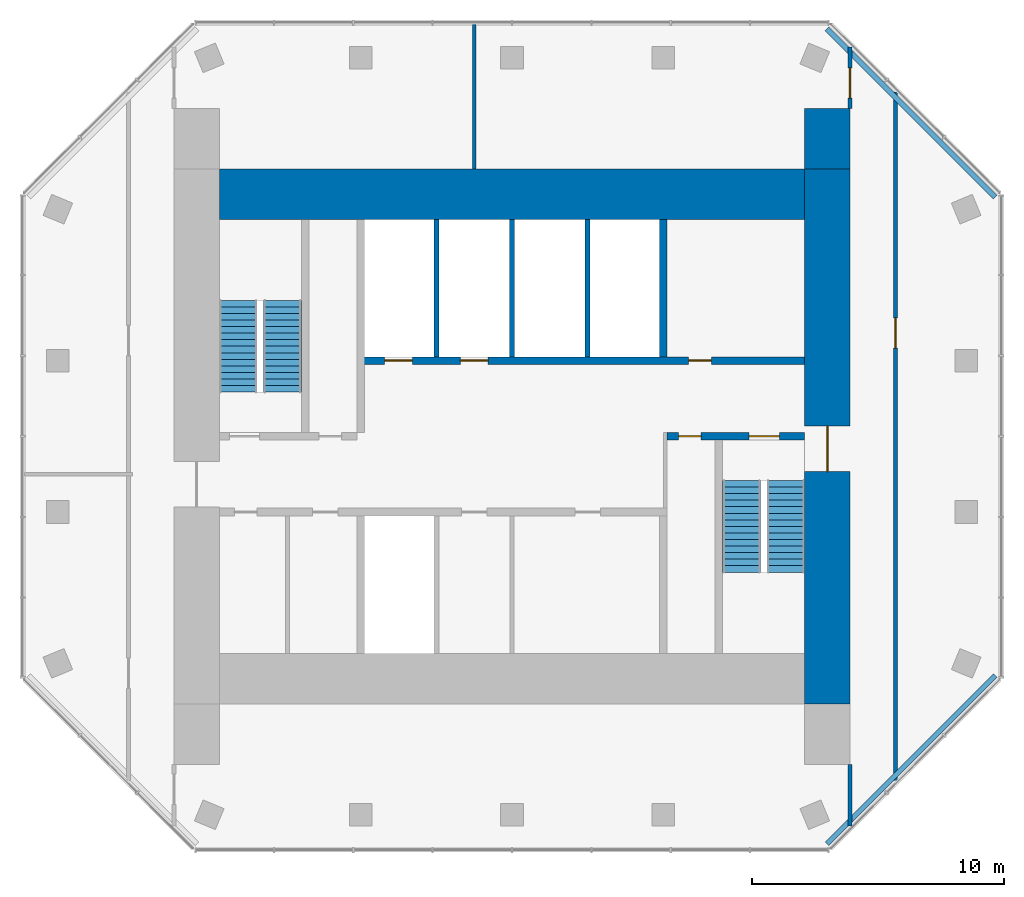
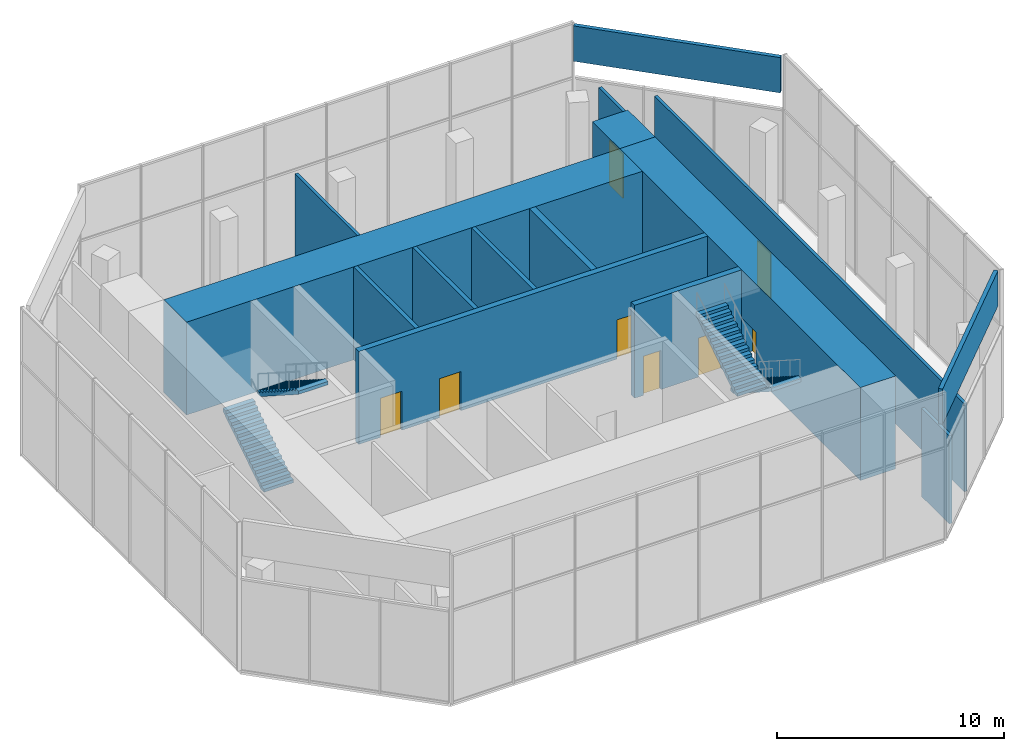
# One storey, part 8 of 9: 15 walls, 8 doors, 4 stair flights, 8 openings, 2 elements without a shape of their own.
"""IFC4 building model written with IfcOpenShell, lengths in metres."""

from ifc_helpers import new_model, si_unit, direction, frame, frame_2d, origin, place, context, subcontext, project, spatial, polyline, rectangle, outline, extrude, material, layer, layer_set, type_object, element, fill, aggregate, save


model = new_model("IFC4")

# Units and contexts
model_context = context("Model", 3, precision=1e-05, world=origin(), true_north=direction((0.0, 1.0)))
body_context = subcontext(model_context, "Body", "Model", "MODEL_VIEW")
ifc_project = project(units=[si_unit("LENGTHUNIT", "METRE"), si_unit("AREAUNIT", "SQUARE_METRE"), si_unit("VOLUMEUNIT", "CUBIC_METRE"), si_unit("PLANEANGLEUNIT", "RADIAN"), si_unit("MASSUNIT", "GRAM", prefix="KILO")], contexts=[model_context])

# Site, building, storey
site_placement = place(None, origin())
site = spatial("IfcSite", under=ifc_project, at=site_placement, CompositionType="ELEMENT")
building_placement = place(site_placement, origin())
building = spatial("IfcBuilding", under=site, at=building_placement, Name="Highveld Stack Headquarters", CompositionType="ELEMENT")
storey_placement = place(building_placement, frame((0.0, 0.0, 300.699951171875)))
storey = spatial("IfcBuildingStorey", under=building, at=storey_placement, Name="L74", CompositionType="ELEMENT", Elevation=300.699951171875)

# Wall, opening, door
ifc_material_1 = material(Name="Concrete C60/75", Category="concrete")
ifc_layer_1 = layer(ifc_material_1, 1.800048828125)
ifc_layer_set_1 = layer_set([ifc_layer_1], Name="Concrete C60/75")
wall_type_1 = type_object("IfcWallType", Name="CORE WALL 1800 C60/75", PredefinedType="SHEAR", material=ifc_layer_set_1)
wall_1_placement = place(storey_placement, frame((18.5, -7.60009765625, 0.0), z_axis=(0.0, 0.0, 1.0), x_axis=(0.0, 1.0, 0.0)))
wall_1 = element("IfcWall", 1, at=wall_1_placement, inside=storey, type_object=wall_type_1, Name="Core wall E L74", PredefinedType="SHEAR", context=body_context, shape_type="SweptSolid", body=[
    extrude(rectangle(XDim=21.2001953125, YDim=1.800048828125, at=frame_2d((10.60009765625, 0.0))), origin(), (0.0, 0.0, 1.0), 5.0),
])
opening_1_placement = place(wall_1_placement, frame((9.199951171875, 0.0, 0.0)))
opening_1 = element("IfcOpeningElement", 2, at=opening_1_placement, cuts=wall_1, Name="Opening L74-02", PredefinedType="OPENING", context=body_context, shape_type="SweptSolid", body=[
    extrude(rectangle(XDim=1.800048828125, YDim=2.39990234375, at=frame_2d((0.89990234375, 1.199951171875))), frame((0.0, 0.909912109375, 0.0), z_axis=(0.0, -1.0, 0.0), x_axis=(1.0, 0.0, 0.0)), (0.0, 0.0, 1.0), 1.820068359375),
])
ifc_material_2 = material(Name="Steel fire door", Category="steel")
door_type_1 = type_object("IfcDoorType", Name="LOBBY FIRE DOOR D4 1800x2400", OperationType="DOUBLE_DOOR_SINGLE_SWING", PredefinedType="DOOR", material=ifc_material_2)
door_1_placement = place(opening_1_placement, origin())
door_1 = element("IfcDoor", 3, at=door_1_placement, inside=storey, type_object=door_type_1, Name="Core east door L74", OperationType="DOUBLE_DOOR_SINGLE_SWING", OverallHeight=2.39990234375, OverallWidth=1.800048828125, PredefinedType="DOOR", context=body_context, shape_type="SweptSolid", body=[
    extrude(rectangle(XDim=1.800048828125, YDim=2.39990234375, at=frame_2d((0.89990234375, 1.199951171875))), frame((0.0, 0.02490234375, 0.0), z_axis=(0.0, -1.0, 0.0), x_axis=(1.0, 0.0, 0.0)), (0.0, 0.0, 1.0), 0.050048828125),
])
fill(opening_1, door_1)

# Wall
ifc_material_3 = material(Name="Concrete C60/75", Category="concrete")
ifc_layer_2 = layer(ifc_material_3, 2.0)
ifc_layer_set_2 = layer_set([ifc_layer_2], Name="Concrete C60/75")
wall_type_2 = type_object("IfcWallType", Name="CORE WALL 2000 C60/75", PredefinedType="SHEAR", material=ifc_layer_set_2)
wall_2_placement = place(storey_placement, frame((-5.60009765625, 12.60009765625, 0.0), z_axis=(0.0, 0.0, 1.0), x_axis=(1.0, 0.0, 0.0)))
element("IfcWall", 4, at=wall_2_placement, inside=storey, type_object=wall_type_2, Name="Core wall N L74", PredefinedType="SHEAR", context=body_context, shape_type="SweptSolid", body=[
    extrude(rectangle(XDim=23.2001953125, YDim=2.0, at=frame_2d((11.60009765625, 0.0))), origin(), (0.0, 0.0, 1.0), 5.0),
])

# Wall, openings, doors
ifc_material_4 = material(Name="Concrete C60/75", Category="concrete")
ifc_layer_3 = layer(ifc_material_4, 0.300048828125)
ifc_layer_set_3 = layer_set([ifc_layer_3], Name="Concrete C60/75")
wall_type_3 = type_object("IfcWallType", Name="CORE WALL 300 C60/75", PredefinedType="SHEAR", material=ifc_layer_set_3)
wall_3_placement = place(storey_placement, frame((12.14990234375, 3.0, 0.0), z_axis=(0.0, 0.0, 1.0), x_axis=(1.0, 0.0, 0.0)))
wall_3 = element("IfcWall", 5, at=wall_3_placement, inside=storey, type_object=wall_type_3, Name="Core wall I-Y3E L74", PredefinedType="SHEAR", context=body_context, shape_type="SweptSolid", body=[
    extrude(rectangle(XDim=5.4501953125, YDim=0.300048828125, at=frame_2d((2.72509765625, 0.0))), origin(), (0.0, 0.0, 1.0), 5.0),
])
opening_2_placement = place(wall_3_placement, frame((3.25, 0.0, 0.0)))
opening_2 = element("IfcOpeningElement", 6, at=opening_2_placement, cuts=wall_3, Name="Opening L74-05", PredefinedType="OPENING", context=body_context, shape_type="SweptSolid", body=[
    extrude(rectangle(XDim=1.199951171875, YDim=2.10009765625, at=frame_2d((0.60009765625, 1.050048828125))), frame((0.0, 0.159912109375, 0.0), z_axis=(0.0, -1.0, 0.0), x_axis=(1.0, 0.0, 0.0)), (0.0, 0.0, 1.0), 0.320068359375),
])
opening_3_placement = place(wall_3_placement, frame((0.449951171875, 0.0, 0.0)))
opening_3 = element("IfcOpeningElement", 7, at=opening_3_placement, cuts=wall_3, Name="Opening L74-06", PredefinedType="OPENING", context=body_context, shape_type="SweptSolid", body=[
    extrude(rectangle(XDim=0.89990234375, YDim=2.10009765625, at=frame_2d((0.449951171875, 1.050048828125))), frame((0.0, 0.159912109375, 0.0), z_axis=(0.0, -1.0, 0.0), x_axis=(1.0, 0.0, 0.0)), (0.0, 0.0, 1.0), 0.320068359375),
])
ifc_material_5 = material(Name="Steel fire door", Category="steel")
door_type_2 = type_object("IfcDoorType", Name="RISER ACCESS DOOR D5 900x2100", OperationType="SINGLE_SWING_LEFT", PredefinedType="DOOR", material=ifc_material_5)
door_2_placement = place(opening_3_placement, origin())
door_2 = element("IfcDoor", 8, at=door_2_placement, inside=storey, type_object=door_type_2, Name="Riser R2 door L74", OperationType="SINGLE_SWING_LEFT", OverallHeight=2.10009765625, OverallWidth=0.89990234375, PredefinedType="DOOR", context=body_context, shape_type="SweptSolid", body=[
    extrude(rectangle(XDim=0.89990234375, YDim=2.10009765625, at=frame_2d((0.449951171875, 1.050048828125))), frame((0.0, 0.02490234375, 0.0), z_axis=(0.0, -1.0, 0.0), x_axis=(1.0, 0.0, 0.0)), (0.0, 0.0, 1.0), 0.050048828125),
])
fill(opening_3, door_2)
ifc_material_6 = material(Name="Steel fire door", Category="steel")
door_type_3 = type_object("IfcDoorType", Name="STAIR FIRE DOOR D3 1200x2100", OperationType="SINGLE_SWING_LEFT", PredefinedType="DOOR", material=ifc_material_6)
door_3_placement = place(opening_2_placement, origin())
door_3 = element("IfcDoor", 9, at=door_3_placement, inside=storey, type_object=door_type_3, Name="Stair S2 door L74", OperationType="SINGLE_SWING_RIGHT", OverallHeight=2.10009765625, OverallWidth=1.199951171875, PredefinedType="DOOR", context=body_context, shape_type="SweptSolid", body=[
    extrude(rectangle(XDim=1.199951171875, YDim=2.10009765625, at=frame_2d((0.60009765625, 1.050048828125))), frame((0.0, 0.02490234375, 0.0), z_axis=(0.0, -1.0, 0.0), x_axis=(1.0, 0.0, 0.0)), (0.0, 0.0, 1.0), 0.050048828125),
])
fill(opening_2, door_3)

wall_4_placement = place(storey_placement, frame((-0.14990234375, 6.0, 0.0), z_axis=(0.0, 0.0, 1.0), x_axis=(1.0, 0.0, 0.0)))
wall_4 = element("IfcWall", 10, at=wall_4_placement, inside=storey, type_object=wall_type_3, Name="Core wall I-Y6 L74", PredefinedType="SHEAR", context=body_context, shape_type="SweptSolid", body=[
    extrude(rectangle(XDim=17.75, YDim=0.300048828125, at=frame_2d((8.875, 0.0))), origin(), (0.0, 0.0, 1.0), 5.0),
])
opening_4_placement = place(wall_4_placement, frame((13.14990234375, 0.0, 0.0)))
opening_4 = element("IfcOpeningElement", 11, at=opening_4_placement, cuts=wall_4, Name="Opening L74-09", PredefinedType="OPENING", context=body_context, shape_type="SweptSolid", body=[
    extrude(rectangle(XDim=0.89990234375, YDim=2.10009765625, at=frame_2d((0.449951171875, 1.050048828125))), frame((0.0, 0.159912109375, 0.0), z_axis=(0.0, -1.0, 0.0), x_axis=(1.0, 0.0, 0.0)), (0.0, 0.0, 1.0), 0.320068359375),
])
opening_5_placement = place(wall_4_placement, frame((1.10009765625, 0.0, 0.0)))
opening_5 = element("IfcOpeningElement", 12, at=opening_5_placement, cuts=wall_4, Name="Opening LD", PredefinedType="OPENING", context=body_context, shape_type="SweptSolid", body=[
    extrude(rectangle(XDim=1.10009765625, YDim=2.10009765625, at=frame_2d((0.550048828125, 1.050048828125))), frame((0.0, 0.159912109375, 0.0), z_axis=(0.0, -1.0, 0.0), x_axis=(1.0, 0.0, 0.0)), (0.0, 0.0, 1.0), 0.320068359375),
])
opening_6_placement = place(wall_4_placement, frame((4.10009765625, 0.0, 0.0)))
opening_6 = element("IfcOpeningElement", 13, at=opening_6_placement, cuts=wall_4, Name="Opening LD", PredefinedType="OPENING", context=body_context, shape_type="SweptSolid", body=[
    extrude(rectangle(XDim=1.10009765625, YDim=2.10009765625, at=frame_2d((0.550048828125, 1.050048828125))), frame((0.0, 0.159912109375, 0.0), z_axis=(0.0, -1.0, 0.0), x_axis=(1.0, 0.0, 0.0)), (0.0, 0.0, 1.0), 0.320068359375),
])
ifc_material_7 = material(Name="Stainless steel lift landing door", Category="steel")
door_type_4 = type_object("IfcDoorType", Name="LIFT LANDING DOOR LD 1100x2100", OperationType="DOUBLE_DOOR_SLIDING", PredefinedType="USERDEFINED", material=ifc_material_7)
door_4_placement = place(opening_5_placement, origin())
door_4 = element("IfcDoor", 14, at=door_4_placement, inside=storey, type_object=door_type_4, Name="Lift landing door FF1 L74", ObjectType="LIFT LANDING DOOR", OperationType="DOUBLE_DOOR_SLIDING", OverallHeight=2.10009765625, OverallWidth=1.10009765625, PredefinedType="USERDEFINED", context=body_context, shape_type="SweptSolid", body=[
    extrude(rectangle(XDim=1.10009765625, YDim=2.10009765625, at=frame_2d((0.550048828125, 1.050048828125))), frame((0.0, 0.02490234375, 0.0), z_axis=(0.0, -1.0, 0.0), x_axis=(1.0, 0.0, 0.0)), (0.0, 0.0, 1.0), 0.050048828125),
])
fill(opening_5, door_4)
door_5_placement = place(opening_6_placement, origin())
door_5 = element("IfcDoor", 15, at=door_5_placement, inside=storey, type_object=door_type_4, Name="Lift landing door FF2 L74", ObjectType="LIFT LANDING DOOR", OperationType="DOUBLE_DOOR_SLIDING", OverallHeight=2.10009765625, OverallWidth=1.10009765625, PredefinedType="USERDEFINED", context=body_context, shape_type="SweptSolid", body=[
    extrude(rectangle(XDim=1.10009765625, YDim=2.10009765625, at=frame_2d((0.550048828125, 1.050048828125))), frame((0.0, 0.02490234375, 0.0), z_axis=(0.0, -1.0, 0.0), x_axis=(1.0, 0.0, 0.0)), (0.0, 0.0, 1.0), 0.050048828125),
])
fill(opening_6, door_5)
ifc_material_8 = material(Name="Timber door, painted", Category="wood")
door_type_5 = type_object("IfcDoorType", Name="WC DOOR D1 900x2100", OperationType="SINGLE_SWING_LEFT", PredefinedType="DOOR", material=ifc_material_8)
door_6_placement = place(opening_4_placement, origin())
door_6 = element("IfcDoor", 16, at=door_6_placement, inside=storey, type_object=door_type_5, Name="Male WC door L74", OperationType="SINGLE_SWING_RIGHT", OverallHeight=2.10009765625, OverallWidth=0.89990234375, PredefinedType="DOOR", context=body_context, shape_type="SweptSolid", body=[
    extrude(rectangle(XDim=0.89990234375, YDim=2.10009765625, at=frame_2d((0.449951171875, 1.050048828125))), frame((0.0, 0.02490234375, 0.0), z_axis=(0.0, -1.0, 0.0), x_axis=(1.0, 0.0, 0.0)), (0.0, 0.0, 1.0), 0.050048828125),
])
fill(opening_4, door_6)

# Walls
wall_5_placement = place(storey_placement, frame((12.0, 6.14990234375, 0.0), z_axis=(0.0, 0.0, 1.0), x_axis=(0.0, 1.0, 0.0)))
element("IfcWall", 17, at=wall_5_placement, inside=storey, type_object=wall_type_3, Name="Core wall I-X12N L74", PredefinedType="SHEAR", context=body_context, shape_type="SweptSolid", body=[
    extrude(rectangle(XDim=5.4501953125, YDim=0.300048828125, at=frame_2d((2.72509765625, 0.0))), origin(), (0.0, 0.0, 1.0), 5.0),
])
ifc_material_9 = material(Name="Concrete C60/75", Category="concrete")
ifc_layer_4 = layer(ifc_material_9, 1.800048828125)
ifc_layer_set_4 = layer_set([ifc_layer_4], Name="Concrete C60/75")
wall_type_4 = type_object("IfcWallType", Name="CORE WING WALL 1800 C60/75", PredefinedType="SHEAR", material=ifc_layer_set_4)
wall_6_placement = place(storey_placement, frame((18.5, 13.60009765625, 0.0), z_axis=(0.0, 0.0, 1.0), x_axis=(0.0, 1.0, 0.0)))
element("IfcWall", 18, at=wall_6_placement, inside=storey, type_object=wall_type_4, Name="Core wing wall EN L74", PredefinedType="SHEAR", context=body_context, shape_type="SweptSolid", body=[
    extrude(rectangle(XDim=2.39990234375, YDim=1.800048828125, at=frame_2d((1.199951171875, 0.0))), origin(), (0.0, 0.0, 1.0), 5.0),
])
ifc_material_10 = material(Name="Concrete blockwork, plastered", Category="masonry")
ifc_layer_5 = layer(ifc_material_10, 0.14990234375)
ifc_layer_set_5 = layer_set([ifc_layer_5], Name="Concrete blockwork, plastered")
wall_type_5 = type_object("IfcWallType", Name="FIRE PARTITION 150 BLOCKWORK", PredefinedType="PARTITIONING", material=ifc_layer_set_5)
wall_7_placement = place(storey_placement, frame((4.5, 13.60009765625, 0.0), z_axis=(0.0, 0.0, 1.0), x_axis=(0.0, 1.0, 0.0)))
element("IfcWall", 19, at=wall_7_placement, inside=storey, type_object=wall_type_5, Name="Partition office neighbourhood L74", PredefinedType="PARTITIONING", context=body_context, shape_type="SweptSolid", body=[
    extrude(rectangle(XDim=5.7998046875, YDim=0.14990234375, at=frame_2d((2.89990234375, 0.0))), origin(), (0.0, 0.0, 1.0), 4.75),
])
wall_8_placement = place(storey_placement, frame((19.39990234375, -12.43896484375, 0.0), z_axis=(0.0, 0.0, 1.0), x_axis=(0.0, 1.0, 0.0)))
element("IfcWall", 20, at=wall_8_placement, inside=storey, type_object=wall_type_5, Name="Partition office neighbourhood L74", PredefinedType="PARTITIONING", context=body_context, shape_type="SweptSolid", body=[
    extrude(rectangle(XDim=2.43896484375, YDim=0.14990234375, at=frame_2d((1.219482421875, 0.0))), origin(), (0.0, 0.0, 1.0), 4.75),
])

# Wall, opening, door
wall_9_placement = place(storey_placement, frame((19.39990234375, 16.0, 0.0), z_axis=(0.0, 0.0, 1.0), x_axis=(0.0, 1.0, 0.0)))
wall_9 = element("IfcWall", 21, at=wall_9_placement, inside=storey, type_object=wall_type_5, Name="Partition office neighbourhood L74", PredefinedType="PARTITIONING", context=body_context, shape_type="SweptSolid", body=[
    extrude(rectangle(XDim=2.43896484375, YDim=0.14990234375, at=frame_2d((1.219482421875, 0.0))), origin(), (0.0, 0.0, 1.0), 4.75),
])
opening_7_placement = place(wall_9_placement, frame((0.39990234375, 0.0, 0.0)))
opening_7 = element("IfcOpeningElement", 22, at=opening_7_placement, cuts=wall_9, Name="Opening L74-16", PredefinedType="OPENING", context=body_context, shape_type="SweptSolid", body=[
    extrude(rectangle(XDim=1.199951171875, YDim=2.39990234375, at=frame_2d((0.60009765625, 1.199951171875))), frame((0.0, 0.0849609375, 0.0), z_axis=(0.0, -1.0, 0.0), x_axis=(1.0, 0.0, 0.0)), (0.0, 0.0, 1.0), 0.169921875),
])
ifc_material_11 = material(Name="Steel fire door", Category="steel")
door_type_6 = type_object("IfcDoorType", Name="PLANT FIRE DOOR D7 1200x2400", OperationType="SINGLE_SWING_LEFT", PredefinedType="DOOR", material=ifc_material_11)
door_7_placement = place(opening_7_placement, origin())
door_7 = element("IfcDoor", 23, at=door_7_placement, inside=storey, type_object=door_type_6, Name="Plant room door L74", OperationType="SINGLE_SWING_LEFT", OverallHeight=2.39990234375, OverallWidth=1.199951171875, PredefinedType="DOOR", context=body_context, shape_type="SweptSolid", body=[
    extrude(rectangle(XDim=1.199951171875, YDim=2.39990234375, at=frame_2d((0.60009765625, 1.199951171875))), frame((0.0, 0.02490234375, 0.0), z_axis=(0.0, -1.0, 0.0), x_axis=(1.0, 0.0, 0.0)), (0.0, 0.0, 1.0), 0.050048828125),
])
fill(opening_7, door_7)

wall_10_placement = place(storey_placement, frame((21.199951171875, -10.638916015625, 0.0), z_axis=(0.0, 0.0, 1.0), x_axis=(0.0, 1.0, 0.0)))
wall_10 = element("IfcWall", 24, at=wall_10_placement, inside=storey, type_object=wall_type_5, Name="Partition office neighbourhood L74", PredefinedType="PARTITIONING", context=body_context, shape_type="SweptSolid", body=[
    extrude(rectangle(XDim=27.27783203125, YDim=0.14990234375, at=frame_2d((13.638916015625, 0.0))), origin(), (0.0, 0.0, 1.0), 4.75),
])
opening_8_placement = place(wall_10_placement, frame((17.1298828125, 0.0, 0.0)))
opening_8 = element("IfcOpeningElement", 25, at=opening_8_placement, cuts=wall_10, Name="Opening L74-13", PredefinedType="OPENING", context=body_context, shape_type="SweptSolid", body=[
    extrude(rectangle(XDim=1.199951171875, YDim=2.39990234375, at=frame_2d((0.60009765625, 1.199951171875))), frame((0.0, 0.0849609375, 0.0), z_axis=(0.0, -1.0, 0.0), x_axis=(1.0, 0.0, 0.0)), (0.0, 0.0, 1.0), 0.169921875),
])
door_8_placement = place(opening_8_placement, origin())
door_8 = element("IfcDoor", 26, at=door_8_placement, inside=storey, type_object=door_type_6, Name="Plant room door L74", OperationType="SINGLE_SWING_RIGHT", OverallHeight=2.39990234375, OverallWidth=1.199951171875, PredefinedType="DOOR", context=body_context, shape_type="SweptSolid", body=[
    extrude(rectangle(XDim=1.199951171875, YDim=2.39990234375, at=frame_2d((0.60009765625, 1.199951171875))), frame((0.0, 0.02490234375, 0.0), z_axis=(0.0, -1.0, 0.0), x_axis=(1.0, 0.0, 0.0)), (0.0, 0.0, 1.0), 0.050048828125),
])
fill(opening_8, door_8)

# Walls
ifc_material_12 = material(Name="Concrete blockwork, fair-faced", Category="masonry")
ifc_layer_6 = layer(ifc_material_12, 0.199951171875)
ifc_layer_set_6 = layer_set([ifc_layer_6], Name="Concrete blockwork, fair-faced")
wall_type_6 = type_object("IfcWallType", Name="LIFT SHAFT ENCLOSURE WALL 200 BLOCKWORK", PredefinedType="SOLIDWALL", material=ifc_layer_set_6)
for number, where, z_axis, x_axis, name in (
    (27, (3.0, 6.14990234375, 0.0), (0.0, 0.0, 1.0), (0.0, 1.0, 0.0), "Lift shaft wall L74"),
    (28, (6.0, 6.14990234375, 0.0), (0.0, 0.0, 1.0), (0.0, 1.0, 0.0), "Lift shaft wall L74"),
    (29, (9.0, 6.14990234375, 0.0), (0.0, 0.0, 1.0), (0.0, 1.0, 0.0), "Lift shaft wall L74"),
):
    element("IfcWall", number, at=place(storey_placement, frame(where, z_axis=z_axis, x_axis=x_axis)), inside=storey, type_object=wall_type_6, Name=name, PredefinedType="SOLIDWALL", context=body_context, shape_type="SweptSolid", body=[
        extrude(rectangle(XDim=5.4501953125, YDim=0.199951171875, at=frame_2d((2.72509765625, 0.0))), origin(), (0.0, 0.0, 1.0), 5.0),
    ])
ifc_material_13 = material(Name="Concrete C40/50, precast cladding", Category="concrete")
ifc_layer_7 = layer(ifc_material_13, 0.199951171875)
ifc_layer_set_7 = layer_set([ifc_layer_7], Name="Concrete C40/50, precast cladding")
wall_type_7 = type_object("IfcWallType", Name="PRECAST LANTERN CORNER WALL 200", PredefinedType="USERDEFINED", material=ifc_layer_set_7)
for number, where, z_axis, x_axis, name in (
    (30, (25.14990234375, -6.476318359375, 6.10009765625), (0.0, 0.0, 1.0), (-0.707106781187, -0.707106781187, 0.0), "Precast lantern corner wall L74 SE"),
    (31, (18.476318359375, 19.14990234375, 6.10009765625), (0.0, 0.0, 1.0), (0.707106781187, -0.707106781187, 0.0), "Precast lantern corner wall L74 NE"),
):
    element("IfcWall", number, at=place(storey_placement, frame(where, z_axis=z_axis, x_axis=x_axis)), inside=storey, type_object=wall_type_7, Name=name, ObjectType="PRECAST CLADDING", PredefinedType="USERDEFINED", context=body_context, shape_type="SweptSolid", body=[
        extrude(rectangle(XDim=9.43798828125, YDim=0.199951171875, at=frame_2d((4.718994140625, 0.0))), origin(), (0.0, 0.0, 1.0), 1.89990234375),
    ])

# Stair, stair flights
ifc_material_14 = material(Name="Concrete C40/50, precast", Category="concrete")
stair_type_1 = type_object("IfcStairType", Name="STAIR S1 HALF TURN 1500", PredefinedType="HALF_TURN_STAIR", material=ifc_material_14)
stair_1_placement = place(storey_placement, origin())
stair_1 = element("IfcStair", 32, at=stair_1_placement, inside=storey, type_object=stair_type_1, Name="Stair S1 L74", PredefinedType="HALF_TURN_STAIR")
ifc_material_15 = material(Name="Concrete C40/50, precast", Category="concrete")
stair_flight_type = type_object("IfcStairFlightType", Name="STAIR FLIGHT 1500 PRECAST", PredefinedType="STRAIGHT", material=ifc_material_15)
stair_flight_1_placement = place(storey_placement, frame((-4.85009765625, 4.75, 0.0), z_axis=(0.0, 0.0, 1.0), x_axis=(0.0, 1.0, 0.0)))
stair_flight_1 = element("IfcStairFlight", 33, at=stair_flight_1_placement, type_object=stair_flight_type, Name="S1 flight 1", NumberOfRisers=15, NumberOfTreads=14, PredefinedType="STRAIGHT", RiserHeight=0.166666667, TreadLength=0.26, context=body_context, shape_type="SweptSolid", body=[
    extrude(outline(polyline([(0.0, 0.0), (0.0, 0.166748046875), (0.260009765625, 0.166748046875), (0.260009765625, 0.333251953125), (0.52001953125, 0.333251953125), (0.52001953125, 0.5), (0.780029296875, 0.5), (0.780029296875, 0.666748046875), (1.0400390625, 0.666748046875), (1.0400390625, 0.833251953125), (1.300048828125, 0.833251953125), (1.300048828125, 1.0), (1.56005859375, 1.0), (1.56005859375, 1.166748046875), (1.820068359375, 1.166748046875), (1.820068359375, 1.333251953125), (2.080078125, 1.333251953125), (2.080078125, 1.5), (2.340087890625, 1.5), (2.340087890625, 1.666748046875), (2.60009765625, 1.666748046875), (2.60009765625, 1.833251953125), (2.860107421875, 1.833251953125), (2.860107421875, 2.0), (3.1201171875, 2.0), (3.1201171875, 2.166748046875), (3.3798828125, 2.166748046875), (3.3798828125, 2.333251953125), (3.639892578125, 2.333251953125), (3.639892578125, 2.5), (3.639892578125, 2.1552734375), (0.27783203125, 0.0), (0.0, 0.0)])), frame((0.0, 0.75, 0.0), z_axis=(0.0, -1.0, 0.0), x_axis=(1.0, 0.0, 0.0)), (0.0, 0.0, 1.0), 1.5),
])
stair_flight_2_placement = place(storey_placement, frame((-3.10009765625, 8.389892578125, 2.5), z_axis=(0.0, 0.0, 1.0), x_axis=(0.0, -1.0, 0.0)))
stair_flight_2 = element("IfcStairFlight", 34, at=stair_flight_2_placement, type_object=stair_flight_type, Name="S1 flight 2", NumberOfRisers=15, NumberOfTreads=14, PredefinedType="STRAIGHT", RiserHeight=0.166666667, TreadLength=0.26, context=body_context, shape_type="SweptSolid", body=[
    extrude(outline(polyline([(0.0, 0.0), (0.0, 0.166748046875), (0.260009765625, 0.166748046875), (0.260009765625, 0.333251953125), (0.52001953125, 0.333251953125), (0.52001953125, 0.5), (0.780029296875, 0.5), (0.780029296875, 0.666748046875), (1.0400390625, 0.666748046875), (1.0400390625, 0.833251953125), (1.300048828125, 0.833251953125), (1.300048828125, 1.0), (1.56005859375, 1.0), (1.56005859375, 1.166748046875), (1.820068359375, 1.166748046875), (1.820068359375, 1.333251953125), (2.080078125, 1.333251953125), (2.080078125, 1.5), (2.340087890625, 1.5), (2.340087890625, 1.666748046875), (2.60009765625, 1.666748046875), (2.60009765625, 1.833251953125), (2.860107421875, 1.833251953125), (2.860107421875, 2.0), (3.1201171875, 2.0), (3.1201171875, 2.166748046875), (3.3798828125, 2.166748046875), (3.3798828125, 2.333251953125), (3.639892578125, 2.333251953125), (3.639892578125, 2.5), (3.639892578125, 2.1552734375), (0.27783203125, 0.0), (0.0, 0.0)])), frame((0.0, 0.75, 0.0), z_axis=(0.0, -1.0, 0.0), x_axis=(1.0, 0.0, 0.0)), (0.0, 0.0, 1.0), 1.5),
])
aggregate(stair_1, [stair_flight_1, stair_flight_2])

ifc_material_16 = material(Name="Concrete C40/50, precast", Category="concrete")
stair_type_2 = type_object("IfcStairType", Name="STAIR S2 HALF TURN 1500", PredefinedType="HALF_TURN_STAIR", material=ifc_material_16)
stair_2_placement = place(storey_placement, origin())
stair_2 = element("IfcStair", 35, at=stair_2_placement, inside=storey, type_object=stair_type_2, Name="Stair S2 L74", PredefinedType="HALF_TURN_STAIR")
stair_flight_3_placement = place(storey_placement, frame((16.85009765625, 1.25, 0.0), z_axis=(0.0, 0.0, 1.0), x_axis=(0.0, -1.0, 0.0)))
stair_flight_3 = element("IfcStairFlight", 36, at=stair_flight_3_placement, type_object=stair_flight_type, Name="S2 flight 1", NumberOfRisers=15, NumberOfTreads=14, PredefinedType="STRAIGHT", RiserHeight=0.166666667, TreadLength=0.26, context=body_context, shape_type="SweptSolid", body=[
    extrude(outline(polyline([(0.0, 0.0), (0.0, 0.166748046875), (0.260009765625, 0.166748046875), (0.260009765625, 0.333251953125), (0.52001953125, 0.333251953125), (0.52001953125, 0.5), (0.780029296875, 0.5), (0.780029296875, 0.666748046875), (1.0400390625, 0.666748046875), (1.0400390625, 0.833251953125), (1.300048828125, 0.833251953125), (1.300048828125, 1.0), (1.56005859375, 1.0), (1.56005859375, 1.166748046875), (1.820068359375, 1.166748046875), (1.820068359375, 1.333251953125), (2.080078125, 1.333251953125), (2.080078125, 1.5), (2.340087890625, 1.5), (2.340087890625, 1.666748046875), (2.60009765625, 1.666748046875), (2.60009765625, 1.833251953125), (2.860107421875, 1.833251953125), (2.860107421875, 2.0), (3.1201171875, 2.0), (3.1201171875, 2.166748046875), (3.3798828125, 2.166748046875), (3.3798828125, 2.333251953125), (3.639892578125, 2.333251953125), (3.639892578125, 2.5), (3.639892578125, 2.1552734375), (0.27783203125, 0.0), (0.0, 0.0)])), frame((0.0, 0.75, 0.0), z_axis=(0.0, -1.0, 0.0), x_axis=(1.0, 0.0, 0.0)), (0.0, 0.0, 1.0), 1.5),
])
stair_flight_4_placement = place(storey_placement, frame((15.10009765625, -2.389892578125, 2.5), z_axis=(0.0, 0.0, 1.0), x_axis=(0.0, 1.0, 0.0)))
stair_flight_4 = element("IfcStairFlight", 37, at=stair_flight_4_placement, type_object=stair_flight_type, Name="S2 flight 2", NumberOfRisers=15, NumberOfTreads=14, PredefinedType="STRAIGHT", RiserHeight=0.166666667, TreadLength=0.26, context=body_context, shape_type="SweptSolid", body=[
    extrude(outline(polyline([(0.0, 0.0), (0.0, 0.166748046875), (0.260009765625, 0.166748046875), (0.260009765625, 0.333251953125), (0.52001953125, 0.333251953125), (0.52001953125, 0.5), (0.780029296875, 0.5), (0.780029296875, 0.666748046875), (1.0400390625, 0.666748046875), (1.0400390625, 0.833251953125), (1.300048828125, 0.833251953125), (1.300048828125, 1.0), (1.56005859375, 1.0), (1.56005859375, 1.166748046875), (1.820068359375, 1.166748046875), (1.820068359375, 1.333251953125), (2.080078125, 1.333251953125), (2.080078125, 1.5), (2.340087890625, 1.5), (2.340087890625, 1.666748046875), (2.60009765625, 1.666748046875), (2.60009765625, 1.833251953125), (2.860107421875, 1.833251953125), (2.860107421875, 2.0), (3.1201171875, 2.0), (3.1201171875, 2.166748046875), (3.3798828125, 2.166748046875), (3.3798828125, 2.333251953125), (3.639892578125, 2.333251953125), (3.639892578125, 2.5), (3.639892578125, 2.1552734375), (0.27783203125, 0.0), (0.0, 0.0)])), frame((0.0, 0.75, 0.0), z_axis=(0.0, -1.0, 0.0), x_axis=(1.0, 0.0, 0.0)), (0.0, 0.0, 1.0), 1.5),
])
aggregate(stair_2, [stair_flight_3, stair_flight_4])

save(model, "model.ifc")
